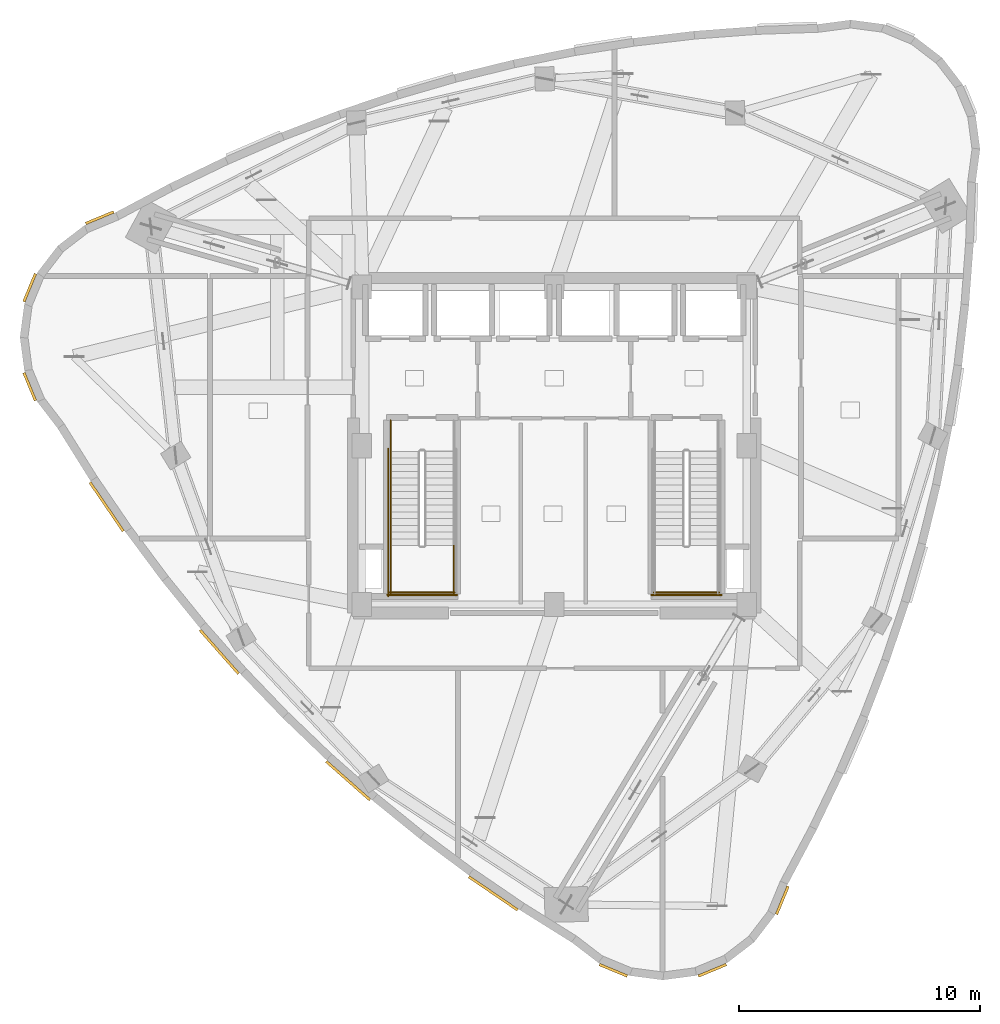
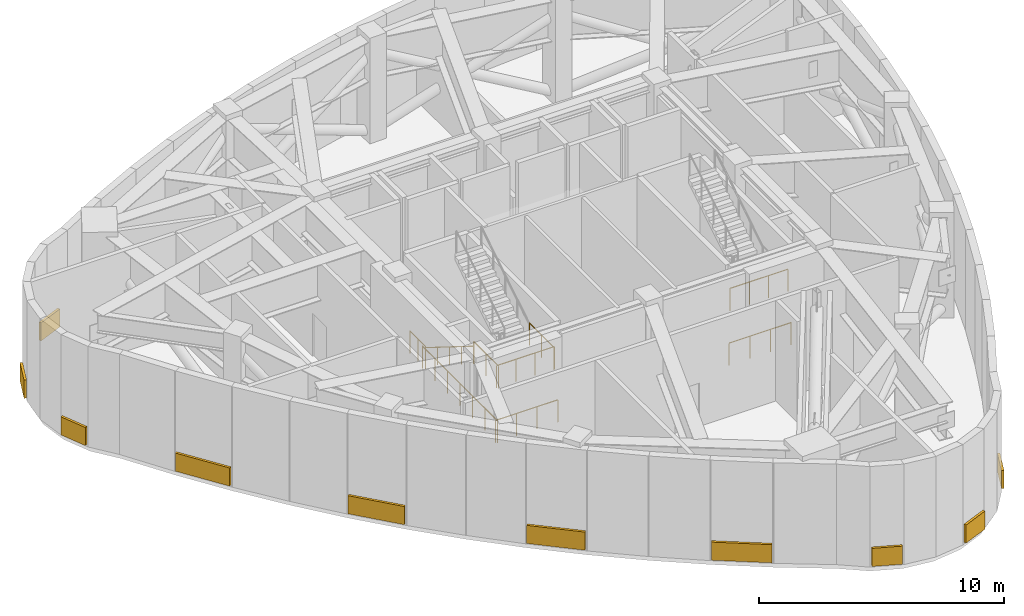
# One storey, part 8 of 10: 10 coverings, 9 railings.
"""IFC4 building model written with IfcOpenShell, lengths in metres."""

from ifc_helpers import new_model, si_unit, direction, frame, origin, origin_2d, place, context, subcontext, project, spatial, rectangle, circle, extrude, material, layer, layer_set, type_object, element, save


model = new_model("IFC4")

# Units and contexts
model_context = context("Model", 3, precision=1e-05, world=origin(), true_north=direction((0.0, 1.0)))
body_context = subcontext(model_context, "Body", "Model", "MODEL_VIEW")
ifc_project = project(units=[si_unit("LENGTHUNIT", "METRE"), si_unit("AREAUNIT", "SQUARE_METRE"), si_unit("VOLUMEUNIT", "CUBIC_METRE"), si_unit("PLANEANGLEUNIT", "RADIAN"), si_unit("MASSUNIT", "GRAM", prefix="KILO")], contexts=[model_context])

# Site, building, storey
site_placement = place(None, origin())
site = spatial("IfcSite", under=ifc_project, at=site_placement, CompositionType="ELEMENT")
building_placement = place(site_placement, origin())
building = spatial("IfcBuilding", under=site, at=building_placement, Name="Ndelora Gate Hotel", CompositionType="ELEMENT")
storey_placement = place(building_placement, frame((0.0, 0.0, 254.949951171875)))
storey = spatial("IfcBuildingStorey", under=building, at=storey_placement, Name="L64", CompositionType="ELEMENT", Elevation=254.949951171875)

# Coverings
ifc_material_1 = material(Name="Terracotta Fired Clay Brick Slip Cladding", Category="masonry")
ifc_layer_1 = layer(ifc_material_1, 0.110107421875)
ifc_layer_set_1 = layer_set([ifc_layer_1], Name="Terracotta Fired Clay Brick Slip Cladding")
covering_type = type_object("IfcCoveringType", Name="COV-CLAD-BRK", PredefinedType="CLADDING", material=ifc_layer_set_1)
for number, where, z_axis, x_axis, name in (
    (1, (-18.890869140625, 9.4755859375, 0.10009765625), (0.0, 0.0, 1.0), (0.923879532511, 0.382683432365, 0.0), "L64 Rounded-Corner Brick Cladding Band 1"),
    (2, (-21.79931640625, 6.5673828125, 0.10009765625), (0.0, 0.0, 1.0), (0.382683432365, 0.923879532511, 0.0), "L64 Rounded-Corner Brick Cladding Band 4"),
    (3, (-21.79931640625, 2.4541015625, 0.10009765625), (0.0, 0.0, 1.0), (-0.382683432365, 0.923879532511, 0.0), "L64 Rounded-Corner Brick Cladding Band 7"),
):
    element("IfcCovering", number, at=place(storey_placement, frame(where, z_axis=z_axis, x_axis=x_axis)), inside=storey, type_object=covering_type, Name=name, PredefinedType="CLADDING", context=body_context, shape_type="SweptSolid", body=[
        extrude(rectangle(XDim=1.257080078125, YDim=0.110107421875, at=origin_2d()), origin(), (0.0, 0.0, 1.0), 0.89990234375),
    ])
covering_1_placement = place(storey_placement, frame((-18.60205078125, -2.535888671875, 0.10009765625), z_axis=(0.0, 0.0, 1.0), x_axis=(-0.563670221706, 0.825999928064, 0.0)))
element("IfcCovering", 4, at=covering_1_placement, inside=storey, type_object=covering_type, Name="L64 Rounded-Corner Brick Cladding Band 10", PredefinedType="CLADDING", context=body_context, shape_type="SweptSolid", body=[
    extrude(rectangle(XDim=2.4599609375, YDim=0.110107421875, at=origin_2d()), origin(), (0.0, 0.0, 1.0), 0.89990234375),
])
for number, where, z_axis, x_axis, name in (
    (5, (-13.9208984375, -8.565185546875, 0.10009765625), (0.0, 0.0, 1.0), (-0.661311865324, 0.75011106963, 0.0), "L64 Rounded-Corner Brick Cladding Band 13"),
    (6, (-8.565185546875, -13.9208984375, 0.10009765625), (0.0, 0.0, 1.0), (-0.75011106963, 0.661311865324, 0.0), "L64 Rounded-Corner Brick Cladding Band 16"),
):
    element("IfcCovering", number, at=place(storey_placement, frame(where, z_axis=z_axis, x_axis=x_axis)), inside=storey, type_object=covering_type, Name=name, PredefinedType="CLADDING", context=body_context, shape_type="SweptSolid", body=[
        extrude(rectangle(XDim=2.4208984375, YDim=0.110107421875, at=origin_2d()), origin(), (0.0, 0.0, 1.0), 0.89990234375),
    ])
covering_2_placement = place(storey_placement, frame((-2.535888671875, -18.60205078125, 0.10009765625), z_axis=(0.0, 0.0, 1.0), x_axis=(-0.825999928064, 0.563670221706, 0.0)))
element("IfcCovering", 7, at=covering_2_placement, inside=storey, type_object=covering_type, Name="L64 Rounded-Corner Brick Cladding Band 19", PredefinedType="CLADDING", context=body_context, shape_type="SweptSolid", body=[
    extrude(rectangle(XDim=2.4599609375, YDim=0.110107421875, at=origin_2d()), origin(), (0.0, 0.0, 1.0), 0.89990234375),
])
for number, where, z_axis, x_axis, name in (
    (8, (2.4541015625, -21.79931640625, 0.10009765625), (0.0, 0.0, 1.0), (-0.923879532511, 0.382683432365, 0.0), "L64 Rounded-Corner Brick Cladding Band 22"),
    (9, (6.5673828125, -21.79931640625, 0.10009765625), (0.0, 0.0, 1.0), (0.923879532511, 0.382683432365, 0.0), "L64 Rounded-Corner Brick Cladding Band 25"),
    (10, (9.4755859375, -18.890869140625, 0.10009765625), (0.0, 0.0, 1.0), (0.382683432365, 0.923879532511, 0.0), "L64 Rounded-Corner Brick Cladding Band 28"),
):
    element("IfcCovering", number, at=place(storey_placement, frame(where, z_axis=z_axis, x_axis=x_axis)), inside=storey, type_object=covering_type, Name=name, PredefinedType="CLADDING", context=body_context, shape_type="SweptSolid", body=[
        extrude(rectangle(XDim=1.257080078125, YDim=0.110107421875, at=origin_2d()), origin(), (0.0, 0.0, 1.0), 0.89990234375),
    ])

# Railings
ifc_material_2 = material(Name="Painted Galvanized Steel Balustrade", Category="steel")
ifc_layer_2 = layer(ifc_material_2, 0.06005859375)
ifc_layer_set_2 = layer_set([ifc_layer_2], Name="Painted Galvanized Steel Balustrade")
railing_type_1 = type_object("IfcRailingType", Name="RL-STAIR-GD", PredefinedType="GUARDRAIL", material=ifc_layer_set_2)
for number, where, name in (
    (11, (-6.800048828125, -4.14990234375, 2.625), "L64 ST4 stair guard 3"),
    (12, (-4.179931640625, -4.14990234375, 2.625), "L64 ST4 stair guard 4"),
):
    element("IfcRailing", number, at=place(storey_placement, frame(where)), inside=storey, type_object=railing_type_1, Name=name, PredefinedType="GUARDRAIL", context=body_context, shape_type="SweptSolid", body=[
        extrude(circle(Radius=0.02392578125, at=origin_2d()), frame((0.0, 0.0, 1.10595703125), z_axis=(0.0, -1.0, 0.0), x_axis=(1.0, 0.0, 0.0)), (0.0, 0.0, 1.0), 2.0),
        extrude(circle(Radius=0.02099609375, at=origin_2d()), origin(), (0.0, 0.0, 1.0), 1.081787109375),
        extrude(circle(Radius=0.02099609375, at=origin_2d()), frame((0.0, -1.0, 0.0)), (0.0, 0.0, 1.0), 1.081787109375),
        extrude(circle(Radius=0.02099609375, at=origin_2d()), frame((0.0, -2.0, 0.0)), (0.0, 0.0, 1.0), 1.081787109375),
    ])
railing_1_placement = place(storey_placement, frame((-6.85009765625, -6.10009765625, 2.625)))
element("IfcRailing", 13, at=railing_1_placement, inside=storey, type_object=railing_type_1, Name="L64 ST4 stair guard 5", PredefinedType="GUARDRAIL", context=body_context, shape_type="SweptSolid", body=[
    extrude(circle(Radius=0.02392578125, at=origin_2d()), frame((0.0, 0.0, 1.10595703125), z_axis=(1.0, 0.0, 0.0), x_axis=(0.0, 1.0, 0.0)), (0.0, 0.0, 1.0), 2.72021484375),
    extrude(circle(Radius=0.02099609375, at=origin_2d()), origin(), (0.0, 0.0, 1.0), 1.081787109375),
    extrude(circle(Radius=0.02099609375, at=origin_2d()), frame((0.90673828125, 0.0, 0.0)), (0.0, 0.0, 1.0), 1.081787109375),
    extrude(circle(Radius=0.02099609375, at=origin_2d()), frame((1.8134765625, 0.0, 0.0)), (0.0, 0.0, 1.0), 1.081787109375),
    extrude(circle(Radius=0.02099609375, at=origin_2d()), frame((2.72021484375, 0.0, 0.0)), (0.0, 0.0, 1.0), 1.081787109375),
])
railing_2_placement = place(storey_placement, frame((-6.800048828125, 1.050048828125, 0.0)))
element("IfcRailing", 14, at=railing_2_placement, inside=storey, type_object=railing_type_1, Name="L64 ST4 stair guard 8", PredefinedType="GUARDRAIL", context=body_context, shape_type="SweptSolid", body=[
    extrude(circle(Radius=0.02392578125, at=origin_2d()), frame((0.0, 0.0, 1.10595703125), z_axis=(0.0, -1.0, 0.0), x_axis=(1.0, 0.0, 0.0)), (0.0, 0.0, 1.0), 1.280029296875),
    extrude(circle(Radius=0.02099609375, at=origin_2d()), origin(), (0.0, 0.0, 1.0), 1.081787109375),
    extrude(circle(Radius=0.02099609375, at=origin_2d()), frame((0.0, -0.64013671875, 0.0)), (0.0, 0.0, 1.0), 1.081787109375),
    extrude(circle(Radius=0.02099609375, at=origin_2d()), frame((0.0, -1.280029296875, 0.0)), (0.0, 0.0, 1.0), 1.081787109375),
])
railing_3_placement = place(storey_placement, frame((-6.89990234375, -0.1298828125, 0.0)))
element("IfcRailing", 15, at=railing_3_placement, inside=storey, type_object=railing_type_1, Name="L64 ST4 stair guard 10", PredefinedType="GUARDRAIL", context=body_context, shape_type="SweptSolid", body=[
    extrude(circle(Radius=0.02392578125, at=origin_2d()), frame((0.0, 0.0, 1.10595703125), z_axis=(0.0, -1.0, 0.0), x_axis=(1.0, 0.0, 0.0)), (0.0, 0.0, 1.0), 6.1201171875),
    extrude(circle(Radius=0.02099609375, at=origin_2d()), origin(), (0.0, 0.0, 1.0), 1.081787109375),
    extrude(circle(Radius=0.02099609375, at=origin_2d()), frame((0.0, -1.02001953125, 0.0)), (0.0, 0.0, 1.0), 1.081787109375),
    extrude(circle(Radius=0.02099609375, at=origin_2d()), frame((0.0, -2.0400390625, 0.0)), (0.0, 0.0, 1.0), 1.081787109375),
    extrude(circle(Radius=0.02099609375, at=origin_2d()), frame((0.0, -3.06005859375, 0.0)), (0.0, 0.0, 1.0), 1.081787109375),
    extrude(circle(Radius=0.02099609375, at=origin_2d()), frame((0.0, -4.080078125, 0.0)), (0.0, 0.0, 1.0), 1.081787109375),
    extrude(circle(Radius=0.02099609375, at=origin_2d()), frame((0.0, -5.10009765625, 0.0)), (0.0, 0.0, 1.0), 1.081787109375),
    extrude(circle(Radius=0.02099609375, at=origin_2d()), frame((0.0, -6.1201171875, 0.0)), (0.0, 0.0, 1.0), 1.081787109375),
])
railing_4_placement = place(storey_placement, frame((-6.949951171875, -6.199951171875, 0.0)))
element("IfcRailing", 16, at=railing_4_placement, inside=storey, type_object=railing_type_1, Name="L64 ST4 stair guard 12", PredefinedType="GUARDRAIL", context=body_context, shape_type="SweptSolid", body=[
    extrude(circle(Radius=0.02392578125, at=origin_2d()), frame((0.0, 0.0, 1.10595703125), z_axis=(1.0, 0.0, 0.0), x_axis=(0.0, 1.0, 0.0)), (0.0, 0.0, 1.0), 2.919921875),
    extrude(circle(Radius=0.02099609375, at=origin_2d()), origin(), (0.0, 0.0, 1.0), 1.081787109375),
    extrude(circle(Radius=0.02099609375, at=origin_2d()), frame((0.973388671875, 0.0, 0.0)), (0.0, 0.0, 1.0), 1.081787109375),
    extrude(circle(Radius=0.02099609375, at=origin_2d()), frame((1.946533203125, 0.0, 0.0)), (0.0, 0.0, 1.0), 1.081787109375),
    extrude(circle(Radius=0.02099609375, at=origin_2d()), frame((2.919921875, 0.0, 0.0)), (0.0, 0.0, 1.0), 1.081787109375),
])
railing_5_placement = place(storey_placement, frame((4.1298828125, -6.10009765625, 2.625)))
element("IfcRailing", 17, at=railing_5_placement, inside=storey, type_object=railing_type_1, Name="L64 ST5 stair guard 5", PredefinedType="GUARDRAIL", context=body_context, shape_type="SweptSolid", body=[
    extrude(circle(Radius=0.02392578125, at=origin_2d()), frame((0.0, 0.0, 1.10595703125), z_axis=(1.0, 0.0, 0.0), x_axis=(0.0, 1.0, 0.0)), (0.0, 0.0, 1.0), 2.72021484375),
    extrude(circle(Radius=0.02099609375, at=origin_2d()), origin(), (0.0, 0.0, 1.0), 1.081787109375),
    extrude(circle(Radius=0.02099609375, at=origin_2d()), frame((0.90673828125, 0.0, 0.0)), (0.0, 0.0, 1.0), 1.081787109375),
    extrude(circle(Radius=0.02099609375, at=origin_2d()), frame((1.8134765625, 0.0, 0.0)), (0.0, 0.0, 1.0), 1.081787109375),
    extrude(circle(Radius=0.02099609375, at=origin_2d()), frame((2.72021484375, 0.0, 0.0)), (0.0, 0.0, 1.0), 1.081787109375),
])
railing_6_placement = place(storey_placement, frame((4.030029296875, -6.199951171875, 0.0)))
element("IfcRailing", 18, at=railing_6_placement, inside=storey, type_object=railing_type_1, Name="L64 ST5 stair guard 12", PredefinedType="GUARDRAIL", context=body_context, shape_type="SweptSolid", body=[
    extrude(circle(Radius=0.02392578125, at=origin_2d()), frame((0.0, 0.0, 1.10595703125), z_axis=(1.0, 0.0, 0.0), x_axis=(0.0, 1.0, 0.0)), (0.0, 0.0, 1.0), 2.919921875),
    extrude(circle(Radius=0.02099609375, at=origin_2d()), origin(), (0.0, 0.0, 1.0), 1.081787109375),
    extrude(circle(Radius=0.02099609375, at=origin_2d()), frame((0.973388671875, 0.0, 0.0)), (0.0, 0.0, 1.0), 1.081787109375),
    extrude(circle(Radius=0.02099609375, at=origin_2d()), frame((1.946533203125, 0.0, 0.0)), (0.0, 0.0, 1.0), 1.081787109375),
    extrude(circle(Radius=0.02099609375, at=origin_2d()), frame((2.919921875, 0.0, 0.0)), (0.0, 0.0, 1.0), 1.081787109375),
])
ifc_material_3 = material(Name="Brushed Stainless Steel 316", Category="steel")
ifc_layer_3 = layer(ifc_material_3, 0.050048828125)
ifc_layer_set_3 = layer_set([ifc_layer_3], Name="Brushed Stainless Steel 316")
railing_type_2 = type_object("IfcRailingType", Name="RL-STAIR-HR", PredefinedType="HANDRAIL", material=ifc_layer_set_3)
railing_7_placement = place(storey_placement, frame((-6.800048828125, -0.22998046875, 0.175048828125)))
element("IfcRailing", 19, at=railing_7_placement, inside=storey, type_object=railing_type_2, Name="L64 ST4 stair handrail 1", PredefinedType="HANDRAIL", context=body_context, shape_type="SweptSolid", body=[
    extrude(circle(Radius=0.02392578125, at=origin_2d()), frame((0.0, 0.0, 0.8759765625), z_axis=(0.0, -0.847998304005, 0.529998940003), x_axis=(1.0, 0.0, 0.0)), (0.0, 0.0, 1.0), 4.62255859375),
    extrude(circle(Radius=0.02099609375, at=origin_2d()), origin(), (0.0, 0.0, 1.0), 0.851806640625),
    extrude(circle(Radius=0.02099609375, at=origin_2d()), frame((0.0, -0.97998046875, 0.612548828125)), (0.0, 0.0, 1.0), 0.851806640625),
    extrude(circle(Radius=0.02099609375, at=origin_2d()), frame((0.0, -1.9599609375, 1.22509765625)), (0.0, 0.0, 1.0), 0.851806640625),
    extrude(circle(Radius=0.02099609375, at=origin_2d()), frame((0.0, -2.93994140625, 1.83740234375)), (0.0, 0.0, 1.0), 0.851806640625),
    extrude(circle(Radius=0.02099609375, at=origin_2d()), frame((0.0, -3.919921875, 2.449951171875)), (0.0, 0.0, 1.0), 0.851806640625),
])

save(model, "model.ifc")
